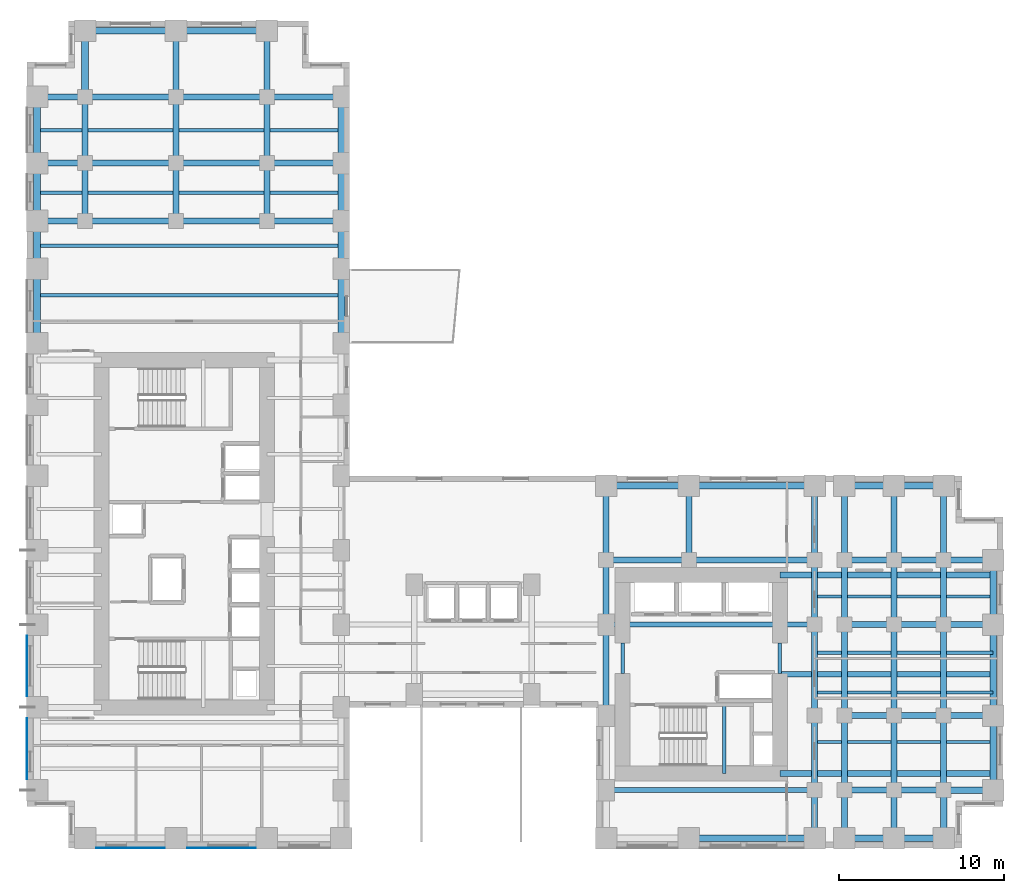
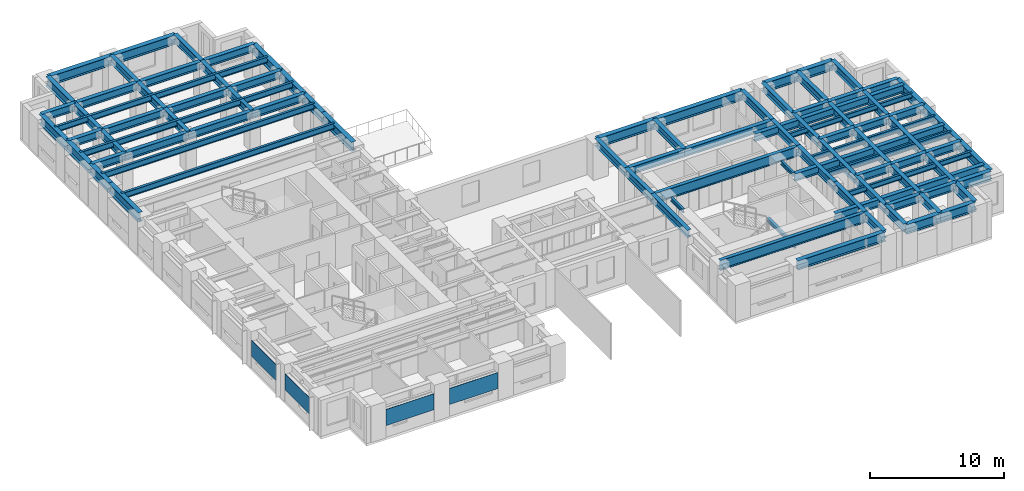
# One storey, part 2 of 11: 95 beams, 4 plates.
"""IFC4 building model written with IfcOpenShell, lengths in metres."""

from ifc_helpers import new_model, si_unit, direction, frame, origin, origin_2d, place, context, subcontext, project, spatial, rectangle, i_section, extrude, source, transform, mapped, material, layer, layer_set, material_profile, profile_set, type_object, element, save


model = new_model("IFC4")

# Units and contexts
model_context = context("Model", 3, precision=1e-05, world=origin(), true_north=direction((0.0, 1.0)))
body_context = subcontext(model_context, "Body", "Model", "MODEL_VIEW")
ifc_project = project(units=[si_unit("LENGTHUNIT", "METRE"), si_unit("AREAUNIT", "SQUARE_METRE"), si_unit("VOLUMEUNIT", "CUBIC_METRE"), si_unit("PLANEANGLEUNIT", "RADIAN"), si_unit("MASSUNIT", "GRAM", prefix="KILO")], contexts=[model_context])

# Site, building, storey
site_placement = place(None, origin())
site = spatial("IfcSite", under=ifc_project, at=site_placement, CompositionType="ELEMENT")
building_placement = place(site_placement, origin())
building = spatial("IfcBuilding", under=site, at=building_placement, Name="Kharzan Plaza Tower", CompositionType="ELEMENT")
storey_placement = place(building_placement, frame((0.0, 0.0, 69.300048828125)))
storey = spatial("IfcBuildingStorey", under=building, at=storey_placement, Name="L18", CompositionType="ELEMENT", Elevation=69.300048828125)

# Beams
ifc_material_1 = material(Name="Steel S355", Category="steel")
ifc_material_profile_1 = material_profile(ifc_material_1, i_section(OverallWidth=0.205078125, OverallDepth=0.35400390625, WebThickness=0.009521484375, FlangeThickness=0.016845703125, at=origin_2d()), Name="W360x79")
ifc_profile_set_1 = profile_set([ifc_material_profile_1], Name="Steel S355")
beam_type_1 = type_object("IfcBeamType", Name="BM-LNT360", PredefinedType="LINTEL", material=ifc_profile_set_1)
shared_shape_1 = source(origin(), body_context, "Body", "SweptSolid", [
    extrude(i_section(OverallWidth=0.205078125, OverallDepth=0.35400390625, WebThickness=0.009521484375, FlangeThickness=0.016845703125, at=origin_2d()), origin(), (0.0, 0.0, 1.0), 1.849853515625),
])
for number, where, z_axis, x_axis, name in (
    (1, (45.5, 10.550048828125, 3.14306640625), (0.0, 1.0, 0.0), (-1.0, 0.0, 0.0), "L18 CORE-B coupling lintel LN1-WE"),
    (2, (36.0, 10.550048828125, 3.14306640625), (0.0, 1.0, 0.0), (-1.0, 0.0, 0.0), "L18 CORE-B coupling lintel LN1-WW"),
):
    element("IfcBeam", number, at=place(storey_placement, frame(where, z_axis=z_axis, x_axis=x_axis)), inside=storey, type_object=beam_type_1, Name=name, PredefinedType="LINTEL", context=body_context, shape_type="MappedRepresentation", body=[
        mapped(shared_shape_1, transform((0.0, 0.0, 0.0), x_axis=(1.0, 0.0, 0.0), y_axis=(0.0, 1.0, 0.0), z_axis=(0.0, 0.0, 1.0))),
    ])
shared_shape_2 = source(origin(), body_context, "Body", "SweptSolid", [
    extrude(i_section(OverallWidth=0.205078125, OverallDepth=0.35400390625, WebThickness=0.009521484375, FlangeThickness=0.016845703125, at=origin_2d()), origin(), (0.0, 0.0, 1.0), 4.155029296875),
])
beam_1_placement = place(storey_placement, frame((42.14990234375, 4.5, 1.4228515625), z_axis=(0.0, 1.0, 0.0), x_axis=(-1.0, 0.0, 0.0)))
element("IfcBeam", 3, at=beam_1_placement, inside=storey, type_object=beam_type_1, Name="L18 Stair ST-3 Half-Landing Beam", PredefinedType="LINTEL", context=body_context, shape_type="MappedRepresentation", body=[
    mapped(shared_shape_2, transform((0.0, 0.0, 0.0), x_axis=(1.0, 0.0, 0.0), y_axis=(0.0, 1.0, 0.0), z_axis=(0.0, 0.0, 1.0))),
])
ifc_material_profile_2 = material_profile(ifc_material_1, i_section(OverallWidth=0.304931640625, OverallDepth=0.9189453125, WebThickness=0.017333984375, FlangeThickness=0.02783203125, at=origin_2d()), Name="W920x253")
ifc_profile_set_2 = profile_set([ifc_material_profile_2], Name="Steel S355")
beam_type_2 = type_object("IfcBeamType", Name="BM-FG920B", PredefinedType="BEAM", material=ifc_profile_set_2)
shared_shape_3 = source(origin(), body_context, "Body", "SweptSolid", [
    extrude(i_section(OverallWidth=0.304931640625, OverallDepth=0.9189453125, WebThickness=0.017333984375, FlangeThickness=0.02783203125, at=origin_2d()), origin(), (0.0, 0.0, 1.0), 12.60009765625),
])
for number, where, z_axis, x_axis, name in (
    (4, (35.0, 3.5, 2.8603515625), (1.0, 0.0, 0.0), (0.0, 1.0, 0.0), "L18 Primary Floor Girder"),
    (5, (35.0, 13.5, 2.8603515625), (1.0, 0.0, 0.0), (0.0, 1.0, 0.0), "L18 Primary Floor Girder"),
):
    element("IfcBeam", number, at=place(storey_placement, frame(where, z_axis=z_axis, x_axis=x_axis)), inside=storey, type_object=beam_type_2, Name=name, PredefinedType="BEAM", context=body_context, shape_type="MappedRepresentation", body=[
        mapped(shared_shape_3, transform((0.0, 0.0, 0.0), x_axis=(1.0, 0.0, 0.0), y_axis=(0.0, 1.0, 0.0), z_axis=(0.0, 0.0, 1.0))),
    ])
ifc_material_profile_3 = material_profile(ifc_material_1, i_section(OverallWidth=0.35498046875, OverallDepth=0.695068359375, WebThickness=0.015380859375, FlangeThickness=0.02490234375, at=origin_2d()), Name="W690x217")
ifc_profile_set_3 = profile_set([ifc_material_profile_3], Name="Steel S355")
beam_type_3 = type_object("IfcBeamType", Name="BM-FG690A", PredefinedType="BEAM", material=ifc_profile_set_3)
shared_shape_4 = source(origin(), body_context, "Body", "SweptSolid", [
    extrude(i_section(OverallWidth=0.35498046875, OverallDepth=0.695068359375, WebThickness=0.015380859375, FlangeThickness=0.02490234375, at=origin_2d()), origin(), (0.0, 0.0, 1.0), 4.5),
])
for number, where, z_axis, x_axis, name in (
    (6, (35.0, 17.39990234375, 2.972412109375), (0.0, 1.0, 0.0), (-1.0, 0.0, 0.0), "L18 Interior Frame Girder"),
    (7, (40.0, 17.39990234375, 2.972412109375), (0.0, 1.0, 0.0), (-1.0, 0.0, 0.0), "L18 Interior Frame Girder"),
    (8, (47.60009765625, 3.5, 2.972412109375), (0.0, 1.0, 0.0), (-1.0, 0.0, 0.0), "L18 Interior Frame Girder"),
    (9, (47.60009765625, 17.39990234375, 2.972412109375), (0.0, 1.0, 0.0), (-1.0, 0.0, 0.0), "L18 Interior Frame Girder"),
    (10, (49.39990234375, 3.5, 2.972412109375), (0.0, 1.0, 0.0), (-1.0, 0.0, 0.0), "L18 Interior Frame Girder"),
    (11, (49.39990234375, 17.39990234375, 2.972412109375), (0.0, 1.0, 0.0), (-1.0, 0.0, 0.0), "L18 Interior Frame Girder"),
    (12, (52.39990234375, 3.5, 2.972412109375), (0.0, 1.0, 0.0), (-1.0, 0.0, 0.0), "L18 Interior Frame Girder"),
    (13, (52.39990234375, 17.39990234375, 2.972412109375), (0.0, 1.0, 0.0), (-1.0, 0.0, 0.0), "L18 Interior Frame Girder"),
    (14, (55.39990234375, 3.5, 2.972412109375), (0.0, 1.0, 0.0), (-1.0, 0.0, 0.0), "L18 Interior Frame Girder"),
    (15, (55.39990234375, 17.39990234375, 2.972412109375), (0.0, 1.0, 0.0), (-1.0, 0.0, 0.0), "L18 Interior Frame Girder"),
    (16, (14.5, 41.39990234375, 2.972412109375), (1.0, 0.0, 0.0), (0.0, 1.0, 0.0), "L18 Primary Floor Girder"),
    (17, (14.5, 45.39990234375, 2.972412109375), (1.0, 0.0, 0.0), (0.0, 1.0, 0.0), "L18 Primary Floor Girder"),
    (18, (14.5, 37.89990234375, 2.972412109375), (1.0, 0.0, 0.0), (0.0, 1.0, 0.0), "L18 Primary Floor Girder"),
):
    element("IfcBeam", number, at=place(storey_placement, frame(where, z_axis=z_axis, x_axis=x_axis)), inside=storey, type_object=beam_type_3, Name=name, PredefinedType="BEAM", context=body_context, shape_type="MappedRepresentation", body=[
        mapped(shared_shape_4, transform((0.0, 0.0, 0.0), x_axis=(1.0, 0.0, 0.0), y_axis=(0.0, 1.0, 0.0), z_axis=(0.0, 0.0, 1.0))),
    ])
shared_shape_5 = source(origin(), body_context, "Body", "SweptSolid", [
    extrude(i_section(OverallWidth=0.35498046875, OverallDepth=0.695068359375, WebThickness=0.015380859375, FlangeThickness=0.02490234375, at=origin_2d()), origin(), (0.0, 0.0, 1.0), 3.89990234375),
])
for number, where, z_axis, x_axis, name in (
    (19, (35.0, 13.5, 2.972412109375), (0.0, 1.0, 0.0), (-1.0, 0.0, 0.0), "L18 Interior Frame Girder"),
    (20, (47.60009765625, 13.5, 2.972412109375), (0.0, 1.0, 0.0), (-1.0, 0.0, 0.0), "L18 Interior Frame Girder"),
    (21, (49.39990234375, 13.5, 2.972412109375), (0.0, 1.0, 0.0), (-1.0, 0.0, 0.0), "L18 Interior Frame Girder"),
    (22, (52.39990234375, 13.5, 2.972412109375), (0.0, 1.0, 0.0), (-1.0, 0.0, 0.0), "L18 Interior Frame Girder"),
    (23, (55.39990234375, 13.5, 2.972412109375), (0.0, 1.0, 0.0), (-1.0, 0.0, 0.0), "L18 Interior Frame Girder"),
):
    element("IfcBeam", number, at=place(storey_placement, frame(where, z_axis=z_axis, x_axis=x_axis)), inside=storey, type_object=beam_type_3, Name=name, PredefinedType="BEAM", context=body_context, shape_type="MappedRepresentation", body=[
        mapped(shared_shape_5, transform((0.0, 0.0, 0.0), x_axis=(1.0, 0.0, 0.0), y_axis=(0.0, 1.0, 0.0), z_axis=(0.0, 0.0, 1.0))),
    ])
shared_shape_6 = source(origin(), body_context, "Body", "SweptSolid", [
    extrude(i_section(OverallWidth=0.35498046875, OverallDepth=0.695068359375, WebThickness=0.015380859375, FlangeThickness=0.02490234375, at=origin_2d()), origin(), (0.0, 0.0, 1.0), 12.89990234375),
])
for number, where, z_axis, x_axis, name in (
    (24, (45.5, 4.5, 2.972412109375), (1.0, 0.0, 0.0), (0.0, 1.0, 0.0), "L18 Core-B East Floor Girder 1"),
    (25, (45.5, 10.5, 2.972412109375), (1.0, 0.0, 0.0), (0.0, 1.0, 0.0), "L18 Core-B East Floor Girder 2"),
    (26, (45.5, 16.5, 2.972412109375), (1.0, 0.0, 0.0), (0.0, 1.0, 0.0), "L18 Core-B East Floor Girder 3"),
):
    element("IfcBeam", number, at=place(storey_placement, frame(where, z_axis=z_axis, x_axis=x_axis)), inside=storey, type_object=beam_type_3, Name=name, PredefinedType="BEAM", context=body_context, shape_type="MappedRepresentation", body=[
        mapped(shared_shape_6, transform((0.0, 0.0, 0.0), x_axis=(1.0, 0.0, 0.0), y_axis=(0.0, 1.0, 0.0), z_axis=(0.0, 0.0, 1.0))),
    ])
shared_shape_7 = source(origin(), body_context, "Body", "SweptSolid", [
    extrude(i_section(OverallWidth=0.35498046875, OverallDepth=0.695068359375, WebThickness=0.015380859375, FlangeThickness=0.02490234375, at=origin_2d()), origin(), (0.0, 0.0, 1.0), 3.5),
])
for number, where, z_axis, x_axis, name in (
    (27, (3.5, 37.89990234375, 2.972412109375), (0.0, 1.0, 0.0), (-1.0, 0.0, 0.0), "L18 Interior Frame Girder"),
    (28, (9.0, 37.89990234375, 2.972412109375), (0.0, 1.0, 0.0), (-1.0, 0.0, 0.0), "L18 Interior Frame Girder"),
    (29, (14.5, 37.89990234375, 2.972412109375), (0.0, 1.0, 0.0), (-1.0, 0.0, 0.0), "L18 Interior Frame Girder"),
):
    element("IfcBeam", number, at=place(storey_placement, frame(where, z_axis=z_axis, x_axis=x_axis)), inside=storey, type_object=beam_type_3, Name=name, PredefinedType="BEAM", context=body_context, shape_type="MappedRepresentation", body=[
        mapped(shared_shape_7, transform((0.0, 0.0, 0.0), x_axis=(1.0, 0.0, 0.0), y_axis=(0.0, 1.0, 0.0), z_axis=(0.0, 0.0, 1.0))),
    ])
shared_shape_8 = source(origin(), body_context, "Body", "SweptSolid", [
    extrude(i_section(OverallWidth=0.35498046875, OverallDepth=0.695068359375, WebThickness=0.015380859375, FlangeThickness=0.02490234375, at=origin_2d()), origin(), (0.0, 0.0, 1.0), 4.0),
])
for number, where, z_axis, x_axis, name in (
    (30, (3.5, 41.39990234375, 2.972412109375), (0.0, 1.0, 0.0), (-1.0, 0.0, 0.0), "L18 Interior Frame Girder"),
    (31, (9.0, 41.39990234375, 2.972412109375), (0.0, 1.0, 0.0), (-1.0, 0.0, 0.0), "L18 Interior Frame Girder"),
    (32, (9.0, 45.39990234375, 2.972412109375), (0.0, 1.0, 0.0), (-1.0, 0.0, 0.0), "L18 Interior Frame Girder"),
    (33, (14.5, 41.39990234375, 2.972412109375), (0.0, 1.0, 0.0), (-1.0, 0.0, 0.0), "L18 Interior Frame Girder"),
    (34, (14.5, 45.39990234375, 2.972412109375), (0.0, 1.0, 0.0), (-1.0, 0.0, 0.0), "L18 Interior Frame Girder"),
):
    element("IfcBeam", number, at=place(storey_placement, frame(where, z_axis=z_axis, x_axis=x_axis)), inside=storey, type_object=beam_type_3, Name=name, PredefinedType="BEAM", context=body_context, shape_type="MappedRepresentation", body=[
        mapped(shared_shape_8, transform((0.0, 0.0, 0.0), x_axis=(1.0, 0.0, 0.0), y_axis=(0.0, 1.0, 0.0), z_axis=(0.0, 0.0, 1.0))),
    ])
shared_shape_9 = source(origin(), body_context, "Body", "SweptSolid", [
    extrude(i_section(OverallWidth=0.35498046875, OverallDepth=0.695068359375, WebThickness=0.015380859375, FlangeThickness=0.02490234375, at=origin_2d()), origin(), (0.0, 0.0, 1.0), 5.0),
])
beam_2_placement = place(storey_placement, frame((35.0, 17.39990234375, 2.972412109375), z_axis=(1.0, 0.0, 0.0), x_axis=(0.0, 1.0, 0.0)))
element("IfcBeam", 35, at=beam_2_placement, inside=storey, type_object=beam_type_3, Name="L18 Primary Floor Girder", PredefinedType="BEAM", context=body_context, shape_type="MappedRepresentation", body=[
    mapped(shared_shape_9, transform((0.0, 0.0, 0.0), x_axis=(1.0, 0.0, 0.0), y_axis=(0.0, 1.0, 0.0), z_axis=(0.0, 0.0, 1.0))),
])
shared_shape_10 = source(origin(), body_context, "Body", "SweptSolid", [
    extrude(i_section(OverallWidth=0.35498046875, OverallDepth=0.695068359375, WebThickness=0.015380859375, FlangeThickness=0.02490234375, at=origin_2d()), origin(), (0.0, 0.0, 1.0), 5.5),
])
for number, where, z_axis, x_axis, name in (
    (36, (35.0, 8.0, 2.972412109375), (0.0, 1.0, 0.0), (-1.0, 0.0, 0.0), "L18 Interior Frame Girder"),
    (37, (47.60009765625, 8.0, 2.972412109375), (0.0, 1.0, 0.0), (-1.0, 0.0, 0.0), "L18 Interior Frame Girder"),
    (38, (49.39990234375, 8.0, 2.972412109375), (0.0, 1.0, 0.0), (-1.0, 0.0, 0.0), "L18 Interior Frame Girder"),
    (39, (52.39990234375, 8.0, 2.972412109375), (0.0, 1.0, 0.0), (-1.0, 0.0, 0.0), "L18 Interior Frame Girder"),
    (40, (55.39990234375, 8.0, 2.972412109375), (0.0, 1.0, 0.0), (-1.0, 0.0, 0.0), "L18 Interior Frame Girder"),
    (41, (3.5, 45.39990234375, 2.972412109375), (1.0, 0.0, 0.0), (0.0, 1.0, 0.0), "L18 Primary Floor Girder"),
    (42, (9.0, 45.39990234375, 2.972412109375), (1.0, 0.0, 0.0), (0.0, 1.0, 0.0), "L18 Primary Floor Girder"),
    (43, (3.5, 37.89990234375, 2.972412109375), (1.0, 0.0, 0.0), (0.0, 1.0, 0.0), "L18 Primary Floor Girder"),
    (44, (9.0, 37.89990234375, 2.972412109375), (1.0, 0.0, 0.0), (0.0, 1.0, 0.0), "L18 Primary Floor Girder"),
    (45, (3.5, 41.39990234375, 2.972412109375), (1.0, 0.0, 0.0), (0.0, 1.0, 0.0), "L18 Primary Floor Girder"),
    (46, (9.0, 41.39990234375, 2.972412109375), (1.0, 0.0, 0.0), (0.0, 1.0, 0.0), "L18 Primary Floor Girder"),
):
    element("IfcBeam", number, at=place(storey_placement, frame(where, z_axis=z_axis, x_axis=x_axis)), inside=storey, type_object=beam_type_3, Name=name, PredefinedType="BEAM", context=body_context, shape_type="MappedRepresentation", body=[
        mapped(shared_shape_10, transform((0.0, 0.0, 0.0), x_axis=(1.0, 0.0, 0.0), y_axis=(0.0, 1.0, 0.0), z_axis=(0.0, 0.0, 1.0))),
    ])
shared_shape_11 = source(origin(), body_context, "Body", "SweptSolid", [
    extrude(i_section(OverallWidth=0.35498046875, OverallDepth=0.695068359375, WebThickness=0.015380859375, FlangeThickness=0.02490234375, at=origin_2d()), origin(), (0.0, 0.0, 1.0), 2.89990234375),
])
for number, where, z_axis, x_axis, name in (
    (47, (47.60009765625, 0.60009765625, 2.972412109375), (0.0, 1.0, 0.0), (-1.0, 0.0, 0.0), "L18 Interior Frame Girder"),
    (48, (49.39990234375, 0.60009765625, 2.972412109375), (0.0, 1.0, 0.0), (-1.0, 0.0, 0.0), "L18 Interior Frame Girder"),
    (49, (52.39990234375, 0.60009765625, 2.972412109375), (0.0, 1.0, 0.0), (-1.0, 0.0, 0.0), "L18 Interior Frame Girder"),
    (50, (0.60009765625, 45.39990234375, 2.972412109375), (1.0, 0.0, 0.0), (0.0, 1.0, 0.0), "L18 Primary Floor Girder"),
    (51, (0.60009765625, 37.89990234375, 2.972412109375), (1.0, 0.0, 0.0), (0.0, 1.0, 0.0), "L18 Primary Floor Girder"),
    (52, (0.60009765625, 41.39990234375, 2.972412109375), (1.0, 0.0, 0.0), (0.0, 1.0, 0.0), "L18 Primary Floor Girder"),
):
    element("IfcBeam", number, at=place(storey_placement, frame(where, z_axis=z_axis, x_axis=x_axis)), inside=storey, type_object=beam_type_3, Name=name, PredefinedType="BEAM", context=body_context, shape_type="MappedRepresentation", body=[
        mapped(shared_shape_11, transform((0.0, 0.0, 0.0), x_axis=(1.0, 0.0, 0.0), y_axis=(0.0, 1.0, 0.0), z_axis=(0.0, 0.0, 1.0))),
    ])
shared_shape_12 = source(origin(), body_context, "Body", "SweptSolid", [
    extrude(i_section(OverallWidth=0.35498046875, OverallDepth=0.695068359375, WebThickness=0.015380859375, FlangeThickness=0.02490234375, at=origin_2d()), origin(), (0.0, 0.0, 1.0), 3.0),
])
for number, where, z_axis, x_axis, name in (
    (53, (49.39990234375, 3.5, 2.972412109375), (1.0, 0.0, 0.0), (0.0, 1.0, 0.0), "L18 Primary Floor Girder"),
    (54, (52.39990234375, 3.5, 2.972412109375), (1.0, 0.0, 0.0), (0.0, 1.0, 0.0), "L18 Primary Floor Girder"),
    (55, (49.39990234375, 8.0, 2.972412109375), (1.0, 0.0, 0.0), (0.0, 1.0, 0.0), "L18 Primary Floor Girder"),
    (56, (52.39990234375, 8.0, 2.972412109375), (1.0, 0.0, 0.0), (0.0, 1.0, 0.0), "L18 Primary Floor Girder"),
    (57, (55.39990234375, 8.0, 2.972412109375), (1.0, 0.0, 0.0), (0.0, 1.0, 0.0), "L18 Primary Floor Girder"),
    (58, (49.39990234375, 13.5, 2.972412109375), (1.0, 0.0, 0.0), (0.0, 1.0, 0.0), "L18 Primary Floor Girder"),
    (59, (52.39990234375, 13.5, 2.972412109375), (1.0, 0.0, 0.0), (0.0, 1.0, 0.0), "L18 Primary Floor Girder"),
    (60, (55.39990234375, 13.5, 2.972412109375), (1.0, 0.0, 0.0), (0.0, 1.0, 0.0), "L18 Primary Floor Girder"),
    (61, (49.39990234375, 17.39990234375, 2.972412109375), (1.0, 0.0, 0.0), (0.0, 1.0, 0.0), "L18 Primary Floor Girder"),
    (62, (52.39990234375, 17.39990234375, 2.972412109375), (1.0, 0.0, 0.0), (0.0, 1.0, 0.0), "L18 Primary Floor Girder"),
    (63, (55.39990234375, 17.39990234375, 2.972412109375), (1.0, 0.0, 0.0), (0.0, 1.0, 0.0), "L18 Primary Floor Girder"),
):
    element("IfcBeam", number, at=place(storey_placement, frame(where, z_axis=z_axis, x_axis=x_axis)), inside=storey, type_object=beam_type_3, Name=name, PredefinedType="BEAM", context=body_context, shape_type="MappedRepresentation", body=[
        mapped(shared_shape_12, transform((0.0, 0.0, 0.0), x_axis=(1.0, 0.0, 0.0), y_axis=(0.0, 1.0, 0.0), z_axis=(0.0, 0.0, 1.0))),
    ])
shared_shape_13 = source(origin(), body_context, "Body", "SweptSolid", [
    extrude(i_section(OverallWidth=0.35498046875, OverallDepth=0.695068359375, WebThickness=0.015380859375, FlangeThickness=0.02490234375, at=origin_2d()), origin(), (0.0, 0.0, 1.0), 7.60009765625),
])
beam_3_placement = place(storey_placement, frame((40.0, 17.39990234375, 2.972412109375), z_axis=(1.0, 0.0, 0.0), x_axis=(0.0, 1.0, 0.0)))
element("IfcBeam", 64, at=beam_3_placement, inside=storey, type_object=beam_type_3, Name="L18 Primary Floor Girder", PredefinedType="BEAM", context=body_context, shape_type="MappedRepresentation", body=[
    mapped(shared_shape_13, transform((0.0, 0.0, 0.0), x_axis=(1.0, 0.0, 0.0), y_axis=(0.0, 1.0, 0.0), z_axis=(0.0, 0.0, 1.0))),
])
ifc_material_profile_4 = material_profile(ifc_material_1, i_section(OverallWidth=0.2099609375, OverallDepth=0.537109375, WebThickness=0.010986328125, FlangeThickness=0.017333984375, at=origin_2d()), Name="W530x101")
ifc_profile_set_4 = profile_set([ifc_material_profile_4], Name="Steel S355")
beam_type_4 = type_object("IfcBeamType", Name="BM-JST530B", PredefinedType="JOIST", material=ifc_profile_set_4)
shared_shape_14 = source(origin(), body_context, "Body", "SweptSolid", [
    extrude(i_section(OverallWidth=0.2099609375, OverallDepth=0.537109375, WebThickness=0.010986328125, FlangeThickness=0.017333984375, at=origin_2d()), origin(), (0.0, 0.0, 1.0), 18.39990234375),
])
for number, where, z_axis, x_axis, name in (
    (65, (0.60009765625, 33.39990234375, 3.051513671875), (1.0, 0.0, 0.0), (0.0, 1.0, 0.0), "L18 Wing A Composite Joist 05"),
    (66, (0.60009765625, 36.39990234375, 3.051513671875), (1.0, 0.0, 0.0), (0.0, 1.0, 0.0), "L18 Wing A Composite Joist 06"),
    (67, (0.60009765625, 39.60009765625, 3.051513671875), (1.0, 0.0, 0.0), (0.0, 1.0, 0.0), "L18 Wing A Composite Joist 07"),
    (68, (0.60009765625, 43.39990234375, 3.051513671875), (1.0, 0.0, 0.0), (0.0, 1.0, 0.0), "L18 Wing A Composite Joist 08"),
):
    element("IfcBeam", number, at=place(storey_placement, frame(where, z_axis=z_axis, x_axis=x_axis)), inside=storey, type_object=beam_type_4, Name=name, PredefinedType="JOIST", context=body_context, shape_type="MappedRepresentation", body=[
        mapped(shared_shape_14, transform((0.0, 0.0, 0.0), x_axis=(1.0, 0.0, 0.0), y_axis=(0.0, 1.0, 0.0), z_axis=(0.0, 0.0, 1.0))),
    ])
ifc_material_profile_5 = material_profile(ifc_material_1, i_section(OverallWidth=0.194091796875, OverallDepth=0.468994140625, WebThickness=0.011474609375, FlangeThickness=0.0205078125, at=origin_2d()), Name="W460x106")
ifc_profile_set_5 = profile_set([ifc_material_profile_5], Name="Steel S355")
beam_type_5 = type_object("IfcBeamType", Name="BM-JST460", PredefinedType="JOIST", material=ifc_profile_set_5)
shared_shape_15 = source(origin(), body_context, "Body", "SweptSolid", [
    extrude(i_section(OverallWidth=0.194091796875, OverallDepth=0.468994140625, WebThickness=0.011474609375, FlangeThickness=0.0205078125, at=origin_2d()), origin(), (0.0, 0.0, 1.0), 10.7998046875),
])
for number, where, z_axis, x_axis, name in (
    (69, (47.60009765625, 6.39990234375, 3.08544921875), (1.0, 0.0, 0.0), (0.0, 1.0, 0.0), "L18 Wing B Composite Joist 02"),
    (70, (47.60009765625, 9.39990234375, 3.08544921875), (1.0, 0.0, 0.0), (0.0, 1.0, 0.0), "L18 Wing B Composite Joist 03"),
    (71, (47.60009765625, 11.800048828125, 3.08544921875), (1.0, 0.0, 0.0), (0.0, 1.0, 0.0), "L18 Wing B Composite Joist 04"),
    (72, (47.60009765625, 15.199951171875, 3.08544921875), (1.0, 0.0, 0.0), (0.0, 1.0, 0.0), "L18 Wing B Composite Joist 05"),
):
    element("IfcBeam", number, at=place(storey_placement, frame(where, z_axis=z_axis, x_axis=x_axis)), inside=storey, type_object=beam_type_5, Name=name, PredefinedType="JOIST", context=body_context, shape_type="MappedRepresentation", body=[
        mapped(shared_shape_15, transform((0.0, 0.0, 0.0), x_axis=(1.0, 0.0, 0.0), y_axis=(0.0, 1.0, 0.0), z_axis=(0.0, 0.0, 1.0))),
    ])
ifc_material_profile_6 = material_profile(ifc_material_1, i_section(OverallWidth=0.40087890625, OverallDepth=0.85498046875, WebThickness=0.018310546875, FlangeThickness=0.029296875, at=origin_2d()), Name="W840x299")
ifc_profile_set_6 = profile_set([ifc_material_profile_6], Name="Steel S355")
beam_type_6 = type_object("IfcBeamType", Name="BM-SP840A", PredefinedType="SPANDREL", material=ifc_profile_set_6)
shared_shape_16 = source(origin(), body_context, "Body", "SweptSolid", [
    extrude(i_section(OverallWidth=0.40087890625, OverallDepth=0.85498046875, WebThickness=0.018310546875, FlangeThickness=0.029296875, at=origin_2d()), origin(), (0.0, 0.0, 1.0), 5.0),
])
beam_4_placement = place(storey_placement, frame((35.0, 21.89990234375, 2.892333984375), z_axis=(1.0, 0.0, 0.0), x_axis=(0.0, 1.0, 0.0)))
element("IfcBeam", 73, at=beam_4_placement, inside=storey, type_object=beam_type_6, Name="L18 Perimeter Tube Spandrel", PredefinedType="SPANDREL", context=body_context, shape_type="MappedRepresentation", body=[
    mapped(shared_shape_16, transform((0.0, 0.0, 0.0), x_axis=(1.0, 0.0, 0.0), y_axis=(0.0, 1.0, 0.0), z_axis=(0.0, 0.0, 1.0))),
])
shared_shape_17 = source(origin(), body_context, "Body", "SweptSolid", [
    extrude(i_section(OverallWidth=0.40087890625, OverallDepth=0.85498046875, WebThickness=0.018310546875, FlangeThickness=0.029296875, at=origin_2d()), origin(), (0.0, 0.0, 1.0), 4.5),
])
for number, where, z_axis, x_axis, name in (
    (74, (0.60009765625, 30.5, 2.892333984375), (0.0, 1.0, 0.0), (-1.0, 0.0, 0.0), "L18 Perimeter Tube Spandrel"),
    (75, (19.0, 30.5, 2.892333984375), (0.0, 1.0, 0.0), (-1.0, 0.0, 0.0), "L18 Perimeter Tube Spandrel"),
    (76, (58.39990234375, 3.5, 2.892333984375), (0.0, 1.0, 0.0), (-1.0, 0.0, 0.0), "L18 Perimeter Tube Spandrel"),
):
    element("IfcBeam", number, at=place(storey_placement, frame(where, z_axis=z_axis, x_axis=x_axis)), inside=storey, type_object=beam_type_6, Name=name, PredefinedType="SPANDREL", context=body_context, shape_type="MappedRepresentation", body=[
        mapped(shared_shape_17, transform((0.0, 0.0, 0.0), x_axis=(1.0, 0.0, 0.0), y_axis=(0.0, 1.0, 0.0), z_axis=(0.0, 0.0, 1.0))),
    ])
shared_shape_18 = source(origin(), body_context, "Body", "SweptSolid", [
    extrude(i_section(OverallWidth=0.40087890625, OverallDepth=0.85498046875, WebThickness=0.018310546875, FlangeThickness=0.029296875, at=origin_2d()), origin(), (0.0, 0.0, 1.0), 2.89990234375),
])
for number, where, z_axis, x_axis, name in (
    (77, (0.60009765625, 35.0, 2.892333984375), (0.0, 1.0, 0.0), (-1.0, 0.0, 0.0), "L18 Perimeter Tube Spandrel"),
    (78, (19.0, 35.0, 2.892333984375), (0.0, 1.0, 0.0), (-1.0, 0.0, 0.0), "L18 Perimeter Tube Spandrel"),
    (79, (55.39990234375, 0.60009765625, 2.892333984375), (0.0, 1.0, 0.0), (-1.0, 0.0, 0.0), "L18 Perimeter Tube Spandrel"),
):
    element("IfcBeam", number, at=place(storey_placement, frame(where, z_axis=z_axis, x_axis=x_axis)), inside=storey, type_object=beam_type_6, Name=name, PredefinedType="SPANDREL", context=body_context, shape_type="MappedRepresentation", body=[
        mapped(shared_shape_18, transform((0.0, 0.0, 0.0), x_axis=(1.0, 0.0, 0.0), y_axis=(0.0, 1.0, 0.0), z_axis=(0.0, 0.0, 1.0))),
    ])
shared_shape_19 = source(origin(), body_context, "Body", "SweptSolid", [
    extrude(i_section(OverallWidth=0.40087890625, OverallDepth=0.85498046875, WebThickness=0.018310546875, FlangeThickness=0.029296875, at=origin_2d()), origin(), (0.0, 0.0, 1.0), 3.5),
])
for number, where, z_axis, x_axis, name in (
    (80, (0.60009765625, 37.89990234375, 2.892333984375), (0.0, 1.0, 0.0), (-1.0, 0.0, 0.0), "L18 Perimeter Tube Spandrel"),
    (81, (19.0, 37.89990234375, 2.892333984375), (0.0, 1.0, 0.0), (-1.0, 0.0, 0.0), "L18 Perimeter Tube Spandrel"),
):
    element("IfcBeam", number, at=place(storey_placement, frame(where, z_axis=z_axis, x_axis=x_axis)), inside=storey, type_object=beam_type_6, Name=name, PredefinedType="SPANDREL", context=body_context, shape_type="MappedRepresentation", body=[
        mapped(shared_shape_19, transform((0.0, 0.0, 0.0), x_axis=(1.0, 0.0, 0.0), y_axis=(0.0, 1.0, 0.0), z_axis=(0.0, 0.0, 1.0))),
    ])
shared_shape_20 = source(origin(), body_context, "Body", "SweptSolid", [
    extrude(i_section(OverallWidth=0.40087890625, OverallDepth=0.85498046875, WebThickness=0.018310546875, FlangeThickness=0.029296875, at=origin_2d()), origin(), (0.0, 0.0, 1.0), 4.0),
])
for number, where, z_axis, x_axis, name in (
    (82, (0.60009765625, 41.39990234375, 2.892333984375), (0.0, 1.0, 0.0), (-1.0, 0.0, 0.0), "L18 Perimeter Tube Spandrel"),
    (83, (3.5, 45.39990234375, 2.892333984375), (0.0, 1.0, 0.0), (-1.0, 0.0, 0.0), "L18 Perimeter Tube Spandrel"),
    (84, (19.0, 41.39990234375, 2.892333984375), (0.0, 1.0, 0.0), (-1.0, 0.0, 0.0), "L18 Perimeter Tube Spandrel"),
):
    element("IfcBeam", number, at=place(storey_placement, frame(where, z_axis=z_axis, x_axis=x_axis)), inside=storey, type_object=beam_type_6, Name=name, PredefinedType="SPANDREL", context=body_context, shape_type="MappedRepresentation", body=[
        mapped(shared_shape_20, transform((0.0, 0.0, 0.0), x_axis=(1.0, 0.0, 0.0), y_axis=(0.0, 1.0, 0.0), z_axis=(0.0, 0.0, 1.0))),
    ])
shared_shape_21 = source(origin(), body_context, "Body", "SweptSolid", [
    extrude(i_section(OverallWidth=0.40087890625, OverallDepth=0.85498046875, WebThickness=0.018310546875, FlangeThickness=0.029296875, at=origin_2d()), origin(), (0.0, 0.0, 1.0), 5.5),
])
for number, where, z_axis, x_axis, name in (
    (85, (58.39990234375, 8.0, 2.892333984375), (0.0, 1.0, 0.0), (-1.0, 0.0, 0.0), "L18 Perimeter Tube Spandrel"),
    (86, (3.5, 49.39990234375, 2.892333984375), (1.0, 0.0, 0.0), (0.0, 1.0, 0.0), "L18 Perimeter Tube Spandrel"),
    (87, (9.0, 49.39990234375, 2.892333984375), (1.0, 0.0, 0.0), (0.0, 1.0, 0.0), "L18 Perimeter Tube Spandrel"),
):
    element("IfcBeam", number, at=place(storey_placement, frame(where, z_axis=z_axis, x_axis=x_axis)), inside=storey, type_object=beam_type_6, Name=name, PredefinedType="SPANDREL", context=body_context, shape_type="MappedRepresentation", body=[
        mapped(shared_shape_21, transform((0.0, 0.0, 0.0), x_axis=(1.0, 0.0, 0.0), y_axis=(0.0, 1.0, 0.0), z_axis=(0.0, 0.0, 1.0))),
    ])
shared_shape_22 = source(origin(), body_context, "Body", "SweptSolid", [
    extrude(i_section(OverallWidth=0.40087890625, OverallDepth=0.85498046875, WebThickness=0.018310546875, FlangeThickness=0.029296875, at=origin_2d()), origin(), (0.0, 0.0, 1.0), 3.89990234375),
])
beam_5_placement = place(storey_placement, frame((58.39990234375, 13.5, 2.892333984375), z_axis=(0.0, 1.0, 0.0), x_axis=(-1.0, 0.0, 0.0)))
element("IfcBeam", 88, at=beam_5_placement, inside=storey, type_object=beam_type_6, Name="L18 Perimeter Tube Spandrel", PredefinedType="SPANDREL", context=body_context, shape_type="MappedRepresentation", body=[
    mapped(shared_shape_22, transform((0.0, 0.0, 0.0), x_axis=(1.0, 0.0, 0.0), y_axis=(0.0, 1.0, 0.0), z_axis=(0.0, 0.0, 1.0))),
])
shared_shape_23 = source(origin(), body_context, "Body", "SweptSolid", [
    extrude(i_section(OverallWidth=0.40087890625, OverallDepth=0.85498046875, WebThickness=0.018310546875, FlangeThickness=0.029296875, at=origin_2d()), origin(), (0.0, 0.0, 1.0), 7.60009765625),
])
for number, where, z_axis, x_axis, name in (
    (89, (40.0, 0.60009765625, 2.892333984375), (1.0, 0.0, 0.0), (0.0, 1.0, 0.0), "L18 Perimeter Tube Spandrel"),
    (90, (40.0, 21.89990234375, 2.892333984375), (1.0, 0.0, 0.0), (0.0, 1.0, 0.0), "L18 Perimeter Tube Spandrel"),
):
    element("IfcBeam", number, at=place(storey_placement, frame(where, z_axis=z_axis, x_axis=x_axis)), inside=storey, type_object=beam_type_6, Name=name, PredefinedType="SPANDREL", context=body_context, shape_type="MappedRepresentation", body=[
        mapped(shared_shape_23, transform((0.0, 0.0, 0.0), x_axis=(1.0, 0.0, 0.0), y_axis=(0.0, 1.0, 0.0), z_axis=(0.0, 0.0, 1.0))),
    ])
shared_shape_24 = source(origin(), body_context, "Body", "SweptSolid", [
    extrude(i_section(OverallWidth=0.40087890625, OverallDepth=0.85498046875, WebThickness=0.018310546875, FlangeThickness=0.029296875, at=origin_2d()), origin(), (0.0, 0.0, 1.0), 3.0),
])
for number, where, z_axis, x_axis, name in (
    (91, (49.39990234375, 0.60009765625, 2.892333984375), (1.0, 0.0, 0.0), (0.0, 1.0, 0.0), "L18 Perimeter Tube Spandrel"),
    (92, (52.39990234375, 0.60009765625, 2.892333984375), (1.0, 0.0, 0.0), (0.0, 1.0, 0.0), "L18 Perimeter Tube Spandrel"),
    (93, (55.39990234375, 3.5, 2.892333984375), (1.0, 0.0, 0.0), (0.0, 1.0, 0.0), "L18 Perimeter Tube Spandrel"),
    (94, (49.39990234375, 21.89990234375, 2.892333984375), (1.0, 0.0, 0.0), (0.0, 1.0, 0.0), "L18 Perimeter Tube Spandrel"),
    (95, (52.39990234375, 21.89990234375, 2.892333984375), (1.0, 0.0, 0.0), (0.0, 1.0, 0.0), "L18 Perimeter Tube Spandrel"),
):
    element("IfcBeam", number, at=place(storey_placement, frame(where, z_axis=z_axis, x_axis=x_axis)), inside=storey, type_object=beam_type_6, Name=name, PredefinedType="SPANDREL", context=body_context, shape_type="MappedRepresentation", body=[
        mapped(shared_shape_24, transform((0.0, 0.0, 0.0), x_axis=(1.0, 0.0, 0.0), y_axis=(0.0, 1.0, 0.0), z_axis=(0.0, 0.0, 1.0))),
    ])

# Plates
ifc_material_2 = material(Name="Perforated Bronze-Anodized Aluminium", Category="aluminium")
ifc_layer = layer(ifc_material_2, 0.030029296875)
ifc_layer_set = layer_set([ifc_layer], Name="Perforated Bronze-Anodized Aluminium")
plate_type = type_object("IfcPlateType", Name="PLT-MASH-SCREEN", PredefinedType="SHEET", material=ifc_layer_set)
shared_shape_25 = source(origin(), body_context, "Body", "SweptSolid", [
    extrude(rectangle(XDim=3.6640625, YDim=0.030029296875, at=origin_2d()), origin(), (0.0, 0.0, 1.0), 1.469970703125),
])
for number, where, z_axis, x_axis, name in (
    (96, (-0.012939453125, 11.0, 1.0947265625), (0.0, 0.0, 1.0), (0.0, -1.0, 0.0), "L18 Perforated Mashrabiya Solar Screen"),
    (97, (-0.012939453125, 6.0, 1.0947265625), (0.0, 0.0, 1.0), (0.0, -1.0, 0.0), "L18 Perforated Mashrabiya Solar Screen"),
):
    element("IfcPlate", number, at=place(storey_placement, frame(where, z_axis=z_axis, x_axis=x_axis)), inside=storey, type_object=plate_type, Name=name, PredefinedType="SHEET", context=body_context, shape_type="MappedRepresentation", body=[
        mapped(shared_shape_25, transform((0.0, 0.0, 0.0), x_axis=(1.0, 0.0, 0.0), y_axis=(0.0, 1.0, 0.0), z_axis=(0.0, 0.0, 1.0))),
    ])
shared_shape_26 = source(origin(), body_context, "Body", "SweptSolid", [
    extrude(rectangle(XDim=4.1640625, YDim=0.030029296875, at=origin_2d()), origin(), (0.0, 0.0, 1.0), 1.469970703125),
])
for number, where, z_axis, x_axis, name in (
    (98, (6.25, -0.012939453125, 1.0947265625), (0.0, 0.0, 1.0), (1.0, 0.0, 0.0), "L18 Perforated Mashrabiya Solar Screen"),
    (99, (11.75, -0.012939453125, 1.0947265625), (0.0, 0.0, 1.0), (1.0, 0.0, 0.0), "L18 Perforated Mashrabiya Solar Screen"),
):
    element("IfcPlate", number, at=place(storey_placement, frame(where, z_axis=z_axis, x_axis=x_axis)), inside=storey, type_object=plate_type, Name=name, PredefinedType="SHEET", context=body_context, shape_type="MappedRepresentation", body=[
        mapped(shared_shape_26, transform((0.0, 0.0, 0.0), x_axis=(1.0, 0.0, 0.0), y_axis=(0.0, 1.0, 0.0), z_axis=(0.0, 0.0, 1.0))),
    ])

save(model, "model.ifc")
